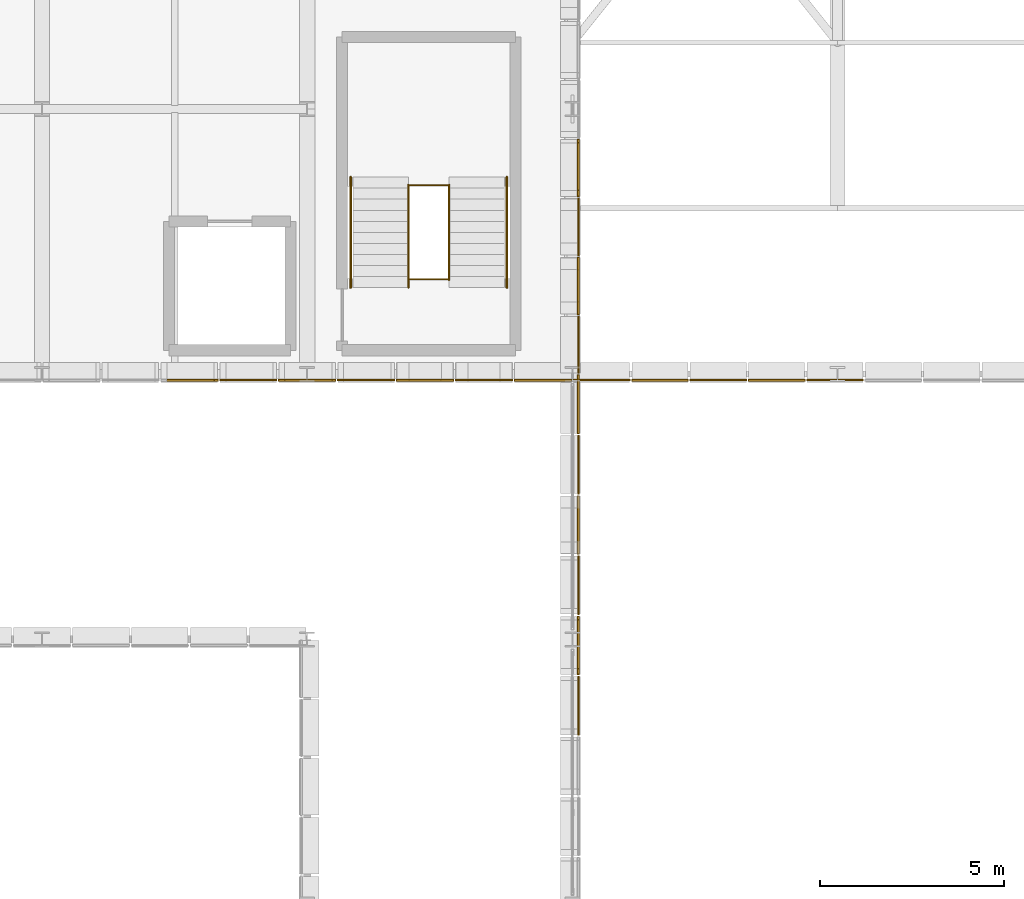
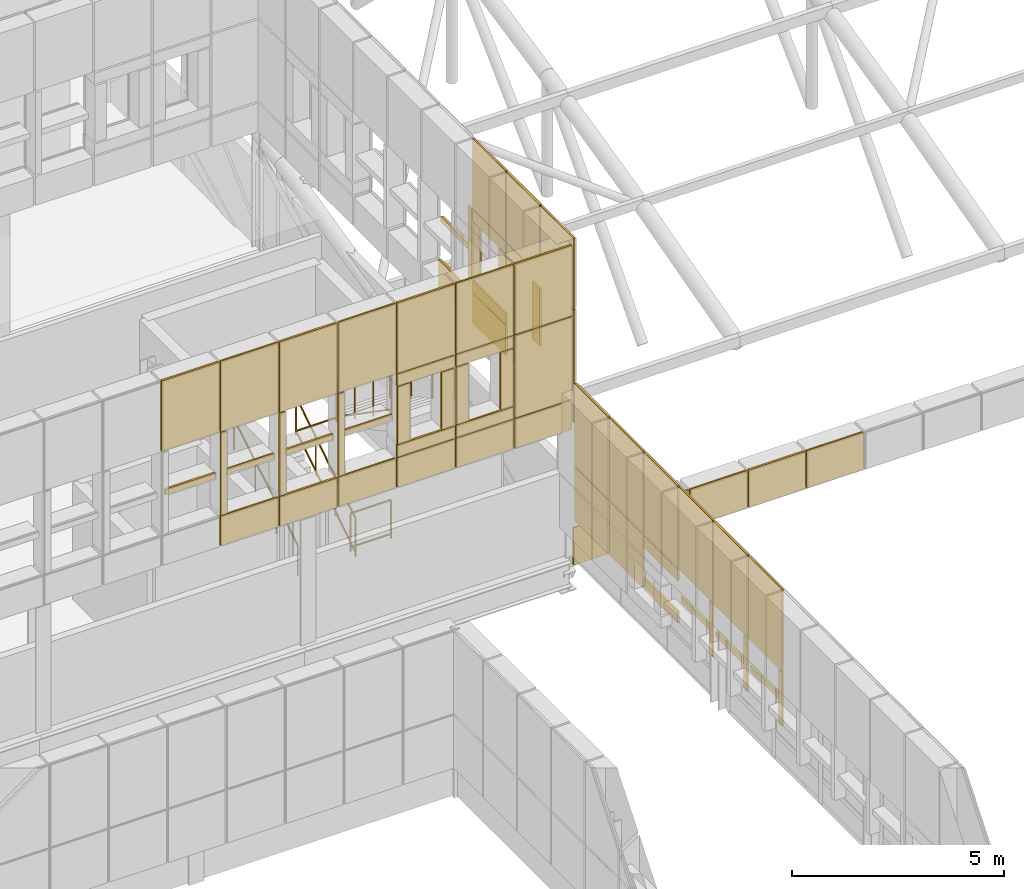
# One storey, part 81 of 96: 68 coverings, 6 railings.
"""IFC4 building model written with IfcOpenShell, lengths in metres."""

from ifc_helpers import new_model, si_unit, direction, frame, origin, origin_2d, place, context, subcontext, project, spatial, rectangle, circle, extrude, material, layer, layer_set, type_object, element, save


model = new_model("IFC4")

# Units and contexts
model_context = context("Model", 3, precision=1e-05, world=origin(), true_north=direction((0.0, 1.0)))
body_context = subcontext(model_context, "Body", "Model", "MODEL_VIEW")
ifc_project = project(units=[si_unit("LENGTHUNIT", "METRE"), si_unit("AREAUNIT", "SQUARE_METRE"), si_unit("VOLUMEUNIT", "CUBIC_METRE"), si_unit("PLANEANGLEUNIT", "RADIAN"), si_unit("MASSUNIT", "GRAM", prefix="KILO")], contexts=[model_context])

# Site, building, storey
site_placement = place(None, origin())
site = spatial("IfcSite", under=ifc_project, at=site_placement, CompositionType="ELEMENT")
building_placement = place(site_placement, origin())
building = spatial("IfcBuilding", under=site, at=building_placement, Name="Yarey Park Central Fire Station", CompositionType="ELEMENT")
storey_placement = place(building_placement, frame((0.0, 0.0, 14.39990234375)))
storey = spatial("IfcBuildingStorey", under=building, at=storey_placement, Name="L04", CompositionType="ELEMENT", Elevation=14.39990234375)

# Coverings
ifc_material_1 = material(Name="Perforated Powder-Coated Aluminium Cladding", Category="aluminium")
ifc_layer_1 = layer(ifc_material_1, 0.0419921875)
ifc_layer_set_1 = layer_set([ifc_layer_1], Name="Perforated Powder-Coated Aluminium Cladding")
covering_type_1 = type_object("IfcCoveringType", Name="ENV_COV_PERF_1", PredefinedType="CLADDING", material=ifc_layer_set_1)
covering_1_placement = place(storey_placement, frame((57.760009765625, 47.891845703125, 0.864990234375), z_axis=(0.0, 0.0, 1.0), x_axis=(0.0, 1.0, 0.0)))
element("IfcCovering", 1, at=covering_1_placement, inside=storey, type_object=covering_type_1, Name="PERF_L04_0428", PredefinedType="CLADDING", context=body_context, shape_type="SweptSolid", body=[
    extrude(rectangle(XDim=0.159912109375, YDim=0.0419921875, at=origin_2d()), origin(), (0.0, 0.0, 1.0), 1.5400390625),
])
covering_2_placement = place(storey_placement, frame((57.760009765625, 48.60009765625, 1.55517578125), z_axis=(0.0, 0.0, 1.0), x_axis=(0.0, 1.0, 0.0)))
element("IfcCovering", 2, at=covering_2_placement, inside=storey, type_object=covering_type_1, Name="PERF_L04_0429", PredefinedType="CLADDING", context=body_context, shape_type="SweptSolid", body=[
    extrude(rectangle(XDim=1.396484375, YDim=0.0419921875, at=origin_2d()), origin(), (0.0, 0.0, 1.0), 0.159912109375),
])
covering_3_placement = place(storey_placement, frame((57.760009765625, 48.60009765625, 2.43505859375), z_axis=(0.0, 0.0, 1.0), x_axis=(0.0, 1.0, 0.0)))
element("IfcCovering", 3, at=covering_3_placement, inside=storey, type_object=covering_type_1, Name="PERF_L04_0430", PredefinedType="CLADDING", context=body_context, shape_type="SweptSolid", body=[
    extrude(rectangle(XDim=1.596435546875, YDim=0.0419921875, at=origin_2d()), origin(), (0.0, 0.0, 1.0), 2.3701171875),
])
covering_4_placement = place(storey_placement, frame((57.760009765625, 51.16455078125, 0.864990234375), z_axis=(0.0, 0.0, 1.0), x_axis=(0.0, 1.0, 0.0)))
element("IfcCovering", 4, at=covering_4_placement, inside=storey, type_object=covering_type_1, Name="PERF_L04_0442", PredefinedType="CLADDING", context=body_context, shape_type="SweptSolid", body=[
    extrude(rectangle(XDim=0.159912109375, YDim=0.0419921875, at=origin_2d()), origin(), (0.0, 0.0, 1.0), 1.5400390625),
])
covering_5_placement = place(storey_placement, frame((57.760009765625, 51.872802734375, 1.55517578125), z_axis=(0.0, 0.0, 1.0), x_axis=(0.0, 1.0, 0.0)))
element("IfcCovering", 5, at=covering_5_placement, inside=storey, type_object=covering_type_1, Name="PERF_L04_0443", PredefinedType="CLADDING", context=body_context, shape_type="SweptSolid", body=[
    extrude(rectangle(XDim=1.396484375, YDim=0.0419921875, at=origin_2d()), origin(), (0.0, 0.0, 1.0), 0.159912109375),
])
covering_6_placement = place(storey_placement, frame((57.760009765625, 51.872802734375, 2.43505859375), z_axis=(0.0, 0.0, 1.0), x_axis=(0.0, 1.0, 0.0)))
element("IfcCovering", 6, at=covering_6_placement, inside=storey, type_object=covering_type_1, Name="PERF_L04_0444", PredefinedType="CLADDING", context=body_context, shape_type="SweptSolid", body=[
    extrude(rectangle(XDim=1.596435546875, YDim=0.0419921875, at=origin_2d()), origin(), (0.0, 0.0, 1.0), 2.3701171875),
])
covering_7_placement = place(storey_placement, frame((57.760009765625, 55.1455078125, 0.864990234375), z_axis=(0.0, 0.0, 1.0), x_axis=(0.0, 1.0, 0.0)))
element("IfcCovering", 7, at=covering_7_placement, inside=storey, type_object=covering_type_1, Name="PERF_L04_0459", PredefinedType="CLADDING", context=body_context, shape_type="SweptSolid", body=[
    extrude(rectangle(XDim=1.596435546875, YDim=0.0419921875, at=origin_2d()), origin(), (0.0, 0.0, 1.0), 1.5400390625),
])
covering_8_placement = place(storey_placement, frame((57.760009765625, 55.1455078125, 2.43505859375), z_axis=(0.0, 0.0, 1.0), x_axis=(0.0, 1.0, 0.0)))
element("IfcCovering", 8, at=covering_8_placement, inside=storey, type_object=covering_type_1, Name="PERF_L04_0460", PredefinedType="CLADDING", context=body_context, shape_type="SweptSolid", body=[
    extrude(rectangle(XDim=1.596435546875, YDim=0.0419921875, at=origin_2d()), origin(), (0.0, 0.0, 1.0), 2.3701171875),
])
covering_9_placement = place(storey_placement, frame((48.800048828125, 57.43994140625, 3.635009765625), z_axis=(0.0, 0.0, 1.0), x_axis=(1.0, 0.0, 0.0)))
element("IfcCovering", 9, at=covering_9_placement, inside=storey, type_object=covering_type_1, Name="PERF_L04_1173", PredefinedType="CLADDING", context=body_context, shape_type="SweptSolid", body=[
    extrude(rectangle(XDim=1.56005859375, YDim=0.0419921875, at=origin_2d()), origin(), (0.0, 0.0, 1.0), 0.85009765625),
])
covering_10_placement = place(storey_placement, frame((48.110107421875, 57.43994140625, 4.51513671875), z_axis=(0.0, 0.0, 1.0), x_axis=(1.0, 0.0, 0.0)))
element("IfcCovering", 10, at=covering_10_placement, inside=storey, type_object=covering_type_1, Name="PERF_L04_1174", PredefinedType="CLADDING", context=body_context, shape_type="SweptSolid", body=[
    extrude(rectangle(XDim=0.159912109375, YDim=0.0419921875, at=origin_2d()), origin(), (0.0, 0.0, 1.0), 2.3701171875),
])
covering_11_placement = place(storey_placement, frame((48.800048828125, 57.43994140625, 5.6201171875), z_axis=(0.0, 0.0, 1.0), x_axis=(1.0, 0.0, 0.0)))
element("IfcCovering", 11, at=covering_11_placement, inside=storey, type_object=covering_type_1, Name="PERF_L04_1175", PredefinedType="CLADDING", context=body_context, shape_type="SweptSolid", body=[
    extrude(rectangle(XDim=1.360107421875, YDim=0.0419921875, at=origin_2d()), origin(), (0.0, 0.0, 1.0), 0.159912109375),
])
covering_12_placement = place(storey_placement, frame((48.800048828125, 57.43994140625, 6.9150390625), z_axis=(0.0, 0.0, 1.0), x_axis=(1.0, 0.0, 0.0)))
element("IfcCovering", 12, at=covering_12_placement, inside=storey, type_object=covering_type_1, Name="PERF_L04_1176", PredefinedType="CLADDING", context=body_context, shape_type="SweptSolid", body=[
    extrude(rectangle(XDim=1.56005859375, YDim=0.0419921875, at=origin_2d()), origin(), (0.0, 0.0, 1.0), 2.02001953125),
])
covering_13_placement = place(storey_placement, frame((52.0, 57.43994140625, 3.635009765625), z_axis=(0.0, 0.0, 1.0), x_axis=(1.0, 0.0, 0.0)))
element("IfcCovering", 13, at=covering_13_placement, inside=storey, type_object=covering_type_1, Name="PERF_L04_1181", PredefinedType="CLADDING", context=body_context, shape_type="SweptSolid", body=[
    extrude(rectangle(XDim=1.56005859375, YDim=0.0419921875, at=origin_2d()), origin(), (0.0, 0.0, 1.0), 0.85009765625),
])
covering_14_placement = place(storey_placement, frame((51.31005859375, 57.43994140625, 4.51513671875), z_axis=(0.0, 0.0, 1.0), x_axis=(1.0, 0.0, 0.0)))
element("IfcCovering", 14, at=covering_14_placement, inside=storey, type_object=covering_type_1, Name="PERF_L04_1182", PredefinedType="CLADDING", context=body_context, shape_type="SweptSolid", body=[
    extrude(rectangle(XDim=0.159912109375, YDim=0.0419921875, at=origin_2d()), origin(), (0.0, 0.0, 1.0), 2.3701171875),
])
covering_15_placement = place(storey_placement, frame((52.0, 57.43994140625, 5.6201171875), z_axis=(0.0, 0.0, 1.0), x_axis=(1.0, 0.0, 0.0)))
element("IfcCovering", 15, at=covering_15_placement, inside=storey, type_object=covering_type_1, Name="PERF_L04_1183", PredefinedType="CLADDING", context=body_context, shape_type="SweptSolid", body=[
    extrude(rectangle(XDim=1.360107421875, YDim=0.0419921875, at=origin_2d()), origin(), (0.0, 0.0, 1.0), 0.159912109375),
])
covering_16_placement = place(storey_placement, frame((52.0, 57.43994140625, 6.9150390625), z_axis=(0.0, 0.0, 1.0), x_axis=(1.0, 0.0, 0.0)))
element("IfcCovering", 16, at=covering_16_placement, inside=storey, type_object=covering_type_1, Name="PERF_L04_1184", PredefinedType="CLADDING", context=body_context, shape_type="SweptSolid", body=[
    extrude(rectangle(XDim=1.56005859375, YDim=0.0419921875, at=origin_2d()), origin(), (0.0, 0.0, 1.0), 2.02001953125),
])
covering_17_placement = place(storey_placement, frame((55.199951171875, 57.43994140625, 3.635009765625), z_axis=(0.0, 0.0, 1.0), x_axis=(1.0, 0.0, 0.0)))
element("IfcCovering", 17, at=covering_17_placement, inside=storey, type_object=covering_type_1, Name="PERF_L04_1191", PredefinedType="CLADDING", context=body_context, shape_type="SweptSolid", body=[
    extrude(rectangle(XDim=1.56005859375, YDim=0.0419921875, at=origin_2d()), origin(), (0.0, 0.0, 1.0), 0.85009765625),
])
for number, where, z_axis, x_axis, name in (
    (18, (55.199951171875, 57.43994140625, 4.51025390625), (0.0, 0.0, 1.0), (1.0, 0.0, 0.0), "PERF_L04_1192"),
    (19, (55.199951171875, 57.43994140625, 6.55029296875), (0.0, 0.0, 1.0), (1.0, 0.0, 0.0), "PERF_L04_1193"),
):
    element("IfcCovering", number, at=place(storey_placement, frame(where, z_axis=z_axis, x_axis=x_axis)), inside=storey, type_object=covering_type_1, Name=name, PredefinedType="CLADDING", context=body_context, shape_type="SweptSolid", body=[
        extrude(rectangle(XDim=1.56005859375, YDim=0.0419921875, at=origin_2d()), origin(), (0.0, 0.0, 1.0), 0.340087890625),
    ])
for number, where, z_axis, x_axis, name in (
    (20, (54.60009765625, 57.43994140625, 4.875244140625), (0.0, 0.0, 1.0), (1.0, 0.0, 0.0), "PERF_L04_1194"),
    (21, (55.800048828125, 57.43994140625, 4.875244140625), (0.0, 0.0, 1.0), (1.0, 0.0, 0.0), "PERF_L04_1195"),
):
    element("IfcCovering", number, at=place(storey_placement, frame(where, z_axis=z_axis, x_axis=x_axis)), inside=storey, type_object=covering_type_1, Name=name, PredefinedType="CLADDING", context=body_context, shape_type="SweptSolid", body=[
        extrude(rectangle(XDim=0.340087890625, YDim=0.0419921875, at=origin_2d()), origin(), (0.0, 0.0, 1.0), 1.64990234375),
    ])
covering_18_placement = place(storey_placement, frame((55.199951171875, 57.43994140625, 6.9150390625), z_axis=(0.0, 0.0, 1.0), x_axis=(1.0, 0.0, 0.0)))
element("IfcCovering", 22, at=covering_18_placement, inside=storey, type_object=covering_type_1, Name="PERF_L04_1196", PredefinedType="CLADDING", context=body_context, shape_type="SweptSolid", body=[
    extrude(rectangle(XDim=1.56005859375, YDim=0.0419921875, at=origin_2d()), origin(), (0.0, 0.0, 1.0), 2.02001953125),
])
covering_19_placement = place(storey_placement, frame((57.760009765625, 58.39990234375, 3.635009765625), z_axis=(0.0, 0.0, 1.0), x_axis=(0.0, 1.0, 0.0)))
element("IfcCovering", 23, at=covering_19_placement, inside=storey, type_object=covering_type_1, Name="PERF_L04_1320", PredefinedType="CLADDING", context=body_context, shape_type="SweptSolid", body=[
    extrude(rectangle(XDim=1.56005859375, YDim=0.0419921875, at=origin_2d()), origin(), (0.0, 0.0, 1.0), 0.85009765625),
])
covering_20_placement = place(storey_placement, frame((57.760009765625, 58.39990234375, 4.51513671875), z_axis=(0.0, 0.0, 1.0), x_axis=(0.0, 1.0, 0.0)))
element("IfcCovering", 24, at=covering_20_placement, inside=storey, type_object=covering_type_1, Name="PERF_L04_1321", PredefinedType="CLADDING", context=body_context, shape_type="SweptSolid", body=[
    extrude(rectangle(XDim=1.56005859375, YDim=0.0419921875, at=origin_2d()), origin(), (0.0, 0.0, 1.0), 2.3701171875),
])
covering_21_placement = place(storey_placement, frame((57.760009765625, 58.39990234375, 6.9150390625), z_axis=(0.0, 0.0, 1.0), x_axis=(0.0, 1.0, 0.0)))
element("IfcCovering", 25, at=covering_21_placement, inside=storey, type_object=covering_type_1, Name="PERF_L04_1322", PredefinedType="CLADDING", context=body_context, shape_type="SweptSolid", body=[
    extrude(rectangle(XDim=1.56005859375, YDim=0.0419921875, at=origin_2d()), origin(), (0.0, 0.0, 1.0), 2.02001953125),
])
covering_22_placement = place(storey_placement, frame((57.760009765625, 61.60009765625, 3.635009765625), z_axis=(0.0, 0.0, 1.0), x_axis=(0.0, 1.0, 0.0)))
element("IfcCovering", 26, at=covering_22_placement, inside=storey, type_object=covering_type_1, Name="PERF_L04_1329", PredefinedType="CLADDING", context=body_context, shape_type="SweptSolid", body=[
    extrude(rectangle(XDim=1.56005859375, YDim=0.0419921875, at=origin_2d()), origin(), (0.0, 0.0, 1.0), 0.85009765625),
])
for number, where, z_axis, x_axis, name in (
    (27, (57.760009765625, 61.60009765625, 4.51025390625), (0.0, 0.0, 1.0), (0.0, 1.0, 0.0), "PERF_L04_1330"),
    (28, (57.760009765625, 61.60009765625, 6.55029296875), (0.0, 0.0, 1.0), (0.0, 1.0, 0.0), "PERF_L04_1331"),
):
    element("IfcCovering", number, at=place(storey_placement, frame(where, z_axis=z_axis, x_axis=x_axis)), inside=storey, type_object=covering_type_1, Name=name, PredefinedType="CLADDING", context=body_context, shape_type="SweptSolid", body=[
        extrude(rectangle(XDim=1.56005859375, YDim=0.0419921875, at=origin_2d()), origin(), (0.0, 0.0, 1.0), 0.340087890625),
    ])
for number, where, z_axis, x_axis, name in (
    (29, (57.760009765625, 61.0, 4.875244140625), (0.0, 0.0, 1.0), (0.0, 1.0, 0.0), "PERF_L04_1332"),
    (30, (57.760009765625, 62.199951171875, 4.875244140625), (0.0, 0.0, 1.0), (0.0, 1.0, 0.0), "PERF_L04_1333"),
):
    element("IfcCovering", number, at=place(storey_placement, frame(where, z_axis=z_axis, x_axis=x_axis)), inside=storey, type_object=covering_type_1, Name=name, PredefinedType="CLADDING", context=body_context, shape_type="SweptSolid", body=[
        extrude(rectangle(XDim=0.340087890625, YDim=0.0419921875, at=origin_2d()), origin(), (0.0, 0.0, 1.0), 1.64990234375),
    ])
covering_23_placement = place(storey_placement, frame((57.760009765625, 61.60009765625, 6.9150390625), z_axis=(0.0, 0.0, 1.0), x_axis=(0.0, 1.0, 0.0)))
element("IfcCovering", 31, at=covering_23_placement, inside=storey, type_object=covering_type_1, Name="PERF_L04_1334", PredefinedType="CLADDING", context=body_context, shape_type="SweptSolid", body=[
    extrude(rectangle(XDim=1.56005859375, YDim=0.0419921875, at=origin_2d()), origin(), (0.0, 0.0, 1.0), 2.02001953125),
])
for number, where, z_axis, x_axis, name in (
    (32, (58.39208984375, 57.43994140625, -0.28515625), (0.0, 0.0, 1.0), (1.0, 0.0, 0.0), "PERF_L04_1364"),
    (33, (61.56005859375, 57.43994140625, -0.28515625), (0.0, 0.0, 1.0), (1.0, 0.0, 0.0), "PERF_L04_1373"),
    (34, (64.72802734375, 57.43994140625, -0.28515625), (0.0, 0.0, 1.0), (1.0, 0.0, 0.0), "PERF_L04_1381"),
):
    element("IfcCovering", number, at=place(storey_placement, frame(where, z_axis=z_axis, x_axis=x_axis)), inside=storey, type_object=covering_type_1, Name=name, PredefinedType="CLADDING", context=body_context, shape_type="SweptSolid", body=[
        extrude(rectangle(XDim=1.5439453125, YDim=0.0419921875, at=origin_2d()), origin(), (0.0, 0.0, 1.0), 1.070068359375),
    ])
ifc_layer_2 = layer(ifc_material_1, 0.053955078125)
ifc_layer_set_2 = layer_set([ifc_layer_2], Name="Perforated Powder-Coated Aluminium Cladding")
covering_type_2 = type_object("IfcCoveringType", Name="ENV_COV_PERF_2", PredefinedType="CLADDING", material=ifc_layer_set_2)
covering_24_placement = place(storey_placement, frame((57.760009765625, 49.5283203125, 0.864990234375), z_axis=(0.0, 0.0, 1.0), x_axis=(0.0, 1.0, 0.0)))
element("IfcCovering", 35, at=covering_24_placement, inside=storey, type_object=covering_type_2, Name="PERF_L04_0435", PredefinedType="CLADDING", context=body_context, shape_type="SweptSolid", body=[
    extrude(rectangle(XDim=0.159912109375, YDim=0.053955078125, at=origin_2d()), origin(), (0.0, 0.0, 1.0), 1.5400390625),
])
covering_25_placement = place(storey_placement, frame((57.760009765625, 50.236328125, 1.55517578125), z_axis=(0.0, 0.0, 1.0), x_axis=(0.0, 1.0, 0.0)))
element("IfcCovering", 36, at=covering_25_placement, inside=storey, type_object=covering_type_2, Name="PERF_L04_0436", PredefinedType="CLADDING", context=body_context, shape_type="SweptSolid", body=[
    extrude(rectangle(XDim=1.396484375, YDim=0.053955078125, at=origin_2d()), origin(), (0.0, 0.0, 1.0), 0.159912109375),
])
covering_26_placement = place(storey_placement, frame((57.760009765625, 50.236328125, 2.43505859375), z_axis=(0.0, 0.0, 1.0), x_axis=(0.0, 1.0, 0.0)))
element("IfcCovering", 37, at=covering_26_placement, inside=storey, type_object=covering_type_2, Name="PERF_L04_0437", PredefinedType="CLADDING", context=body_context, shape_type="SweptSolid", body=[
    extrude(rectangle(XDim=1.596435546875, YDim=0.053955078125, at=origin_2d()), origin(), (0.0, 0.0, 1.0), 2.3701171875),
])
for number, where, z_axis, x_axis, name in (
    (38, (57.760009765625, 53.509033203125, 0.85986328125), (0.0, 0.0, 1.0), (0.0, 1.0, 0.0), "PERF_L04_0451"),
    (39, (57.760009765625, 53.509033203125, 2.06982421875), (0.0, 0.0, 1.0), (0.0, 1.0, 0.0), "PERF_L04_0452"),
):
    element("IfcCovering", number, at=place(storey_placement, frame(where, z_axis=z_axis, x_axis=x_axis)), inside=storey, type_object=covering_type_2, Name=name, PredefinedType="CLADDING", context=body_context, shape_type="SweptSolid", body=[
        extrude(rectangle(XDim=1.596435546875, YDim=0.053955078125, at=origin_2d()), origin(), (0.0, 0.0, 1.0), 0.340087890625),
    ])
covering_27_placement = place(storey_placement, frame((57.760009765625, 53.509033203125, 2.43505859375), z_axis=(0.0, 0.0, 1.0), x_axis=(0.0, 1.0, 0.0)))
element("IfcCovering", 40, at=covering_27_placement, inside=storey, type_object=covering_type_2, Name="PERF_L04_0455", PredefinedType="CLADDING", context=body_context, shape_type="SweptSolid", body=[
    extrude(rectangle(XDim=1.596435546875, YDim=0.053955078125, at=origin_2d()), origin(), (0.0, 0.0, 1.0), 2.3701171875),
])
covering_28_placement = place(storey_placement, frame((57.760009765625, 56.78173828125, 0.864990234375), z_axis=(0.0, 0.0, 1.0), x_axis=(0.0, 1.0, 0.0)))
element("IfcCovering", 41, at=covering_28_placement, inside=storey, type_object=covering_type_2, Name="PERF_L04_0464", PredefinedType="CLADDING", context=body_context, shape_type="SweptSolid", body=[
    extrude(rectangle(XDim=1.596435546875, YDim=0.053955078125, at=origin_2d()), origin(), (0.0, 0.0, 1.0), 1.5400390625),
])
covering_29_placement = place(storey_placement, frame((57.760009765625, 56.78173828125, 2.43505859375), z_axis=(0.0, 0.0, 1.0), x_axis=(0.0, 1.0, 0.0)))
element("IfcCovering", 42, at=covering_29_placement, inside=storey, type_object=covering_type_2, Name="PERF_L04_0465", PredefinedType="CLADDING", context=body_context, shape_type="SweptSolid", body=[
    extrude(rectangle(XDim=1.596435546875, YDim=0.053955078125, at=origin_2d()), origin(), (0.0, 0.0, 1.0), 2.3701171875),
])
covering_30_placement = place(storey_placement, frame((47.199951171875, 57.43994140625, 5.6201171875), z_axis=(0.0, 0.0, 1.0), x_axis=(1.0, 0.0, 0.0)))
element("IfcCovering", 43, at=covering_30_placement, inside=storey, type_object=covering_type_2, Name="PERF_L04_1171", PredefinedType="CLADDING", context=body_context, shape_type="SweptSolid", body=[
    extrude(rectangle(XDim=1.360107421875, YDim=0.053955078125, at=origin_2d()), origin(), (0.0, 0.0, 1.0), 0.159912109375),
])
covering_31_placement = place(storey_placement, frame((47.199951171875, 57.43994140625, 6.9150390625), z_axis=(0.0, 0.0, 1.0), x_axis=(1.0, 0.0, 0.0)))
element("IfcCovering", 44, at=covering_31_placement, inside=storey, type_object=covering_type_2, Name="PERF_L04_1172", PredefinedType="CLADDING", context=body_context, shape_type="SweptSolid", body=[
    extrude(rectangle(XDim=1.56005859375, YDim=0.053955078125, at=origin_2d()), origin(), (0.0, 0.0, 1.0), 2.02001953125),
])
covering_32_placement = place(storey_placement, frame((50.39990234375, 57.43994140625, 3.635009765625), z_axis=(0.0, 0.0, 1.0), x_axis=(1.0, 0.0, 0.0)))
element("IfcCovering", 45, at=covering_32_placement, inside=storey, type_object=covering_type_2, Name="PERF_L04_1177", PredefinedType="CLADDING", context=body_context, shape_type="SweptSolid", body=[
    extrude(rectangle(XDim=1.56005859375, YDim=0.053955078125, at=origin_2d()), origin(), (0.0, 0.0, 1.0), 0.85009765625),
])
covering_33_placement = place(storey_placement, frame((49.7099609375, 57.43994140625, 4.51513671875), z_axis=(0.0, 0.0, 1.0), x_axis=(1.0, 0.0, 0.0)))
element("IfcCovering", 46, at=covering_33_placement, inside=storey, type_object=covering_type_2, Name="PERF_L04_1178", PredefinedType="CLADDING", context=body_context, shape_type="SweptSolid", body=[
    extrude(rectangle(XDim=0.159912109375, YDim=0.053955078125, at=origin_2d()), origin(), (0.0, 0.0, 1.0), 2.3701171875),
])
covering_34_placement = place(storey_placement, frame((50.39990234375, 57.43994140625, 5.6201171875), z_axis=(0.0, 0.0, 1.0), x_axis=(1.0, 0.0, 0.0)))
element("IfcCovering", 47, at=covering_34_placement, inside=storey, type_object=covering_type_2, Name="PERF_L04_1179", PredefinedType="CLADDING", context=body_context, shape_type="SweptSolid", body=[
    extrude(rectangle(XDim=1.360107421875, YDim=0.053955078125, at=origin_2d()), origin(), (0.0, 0.0, 1.0), 0.159912109375),
])
covering_35_placement = place(storey_placement, frame((50.39990234375, 57.43994140625, 6.9150390625), z_axis=(0.0, 0.0, 1.0), x_axis=(1.0, 0.0, 0.0)))
element("IfcCovering", 48, at=covering_35_placement, inside=storey, type_object=covering_type_2, Name="PERF_L04_1180", PredefinedType="CLADDING", context=body_context, shape_type="SweptSolid", body=[
    extrude(rectangle(XDim=1.56005859375, YDim=0.053955078125, at=origin_2d()), origin(), (0.0, 0.0, 1.0), 2.02001953125),
])
covering_36_placement = place(storey_placement, frame((53.60009765625, 57.43994140625, 3.635009765625), z_axis=(0.0, 0.0, 1.0), x_axis=(1.0, 0.0, 0.0)))
element("IfcCovering", 49, at=covering_36_placement, inside=storey, type_object=covering_type_2, Name="PERF_L04_1185", PredefinedType="CLADDING", context=body_context, shape_type="SweptSolid", body=[
    extrude(rectangle(XDim=1.56005859375, YDim=0.053955078125, at=origin_2d()), origin(), (0.0, 0.0, 1.0), 0.85009765625),
])
for number, where, z_axis, x_axis, name in (
    (50, (53.60009765625, 57.43994140625, 4.51025390625), (0.0, 0.0, 1.0), (1.0, 0.0, 0.0), "PERF_L04_1186"),
    (51, (53.60009765625, 57.43994140625, 6.55029296875), (0.0, 0.0, 1.0), (1.0, 0.0, 0.0), "PERF_L04_1187"),
):
    element("IfcCovering", number, at=place(storey_placement, frame(where, z_axis=z_axis, x_axis=x_axis)), inside=storey, type_object=covering_type_2, Name=name, PredefinedType="CLADDING", context=body_context, shape_type="SweptSolid", body=[
        extrude(rectangle(XDim=1.56005859375, YDim=0.053955078125, at=origin_2d()), origin(), (0.0, 0.0, 1.0), 0.340087890625),
    ])
for number, where, z_axis, x_axis, name in (
    (52, (53.0, 57.43994140625, 4.875244140625), (0.0, 0.0, 1.0), (1.0, 0.0, 0.0), "PERF_L04_1188"),
    (53, (54.199951171875, 57.43994140625, 4.875244140625), (0.0, 0.0, 1.0), (1.0, 0.0, 0.0), "PERF_L04_1189"),
):
    element("IfcCovering", number, at=place(storey_placement, frame(where, z_axis=z_axis, x_axis=x_axis)), inside=storey, type_object=covering_type_2, Name=name, PredefinedType="CLADDING", context=body_context, shape_type="SweptSolid", body=[
        extrude(rectangle(XDim=0.340087890625, YDim=0.053955078125, at=origin_2d()), origin(), (0.0, 0.0, 1.0), 1.64990234375),
    ])
covering_37_placement = place(storey_placement, frame((53.60009765625, 57.43994140625, 6.9150390625), z_axis=(0.0, 0.0, 1.0), x_axis=(1.0, 0.0, 0.0)))
element("IfcCovering", 54, at=covering_37_placement, inside=storey, type_object=covering_type_2, Name="PERF_L04_1190", PredefinedType="CLADDING", context=body_context, shape_type="SweptSolid", body=[
    extrude(rectangle(XDim=1.56005859375, YDim=0.053955078125, at=origin_2d()), origin(), (0.0, 0.0, 1.0), 2.02001953125),
])
covering_38_placement = place(storey_placement, frame((56.800048828125, 57.43994140625, 3.635009765625), z_axis=(0.0, 0.0, 1.0), x_axis=(1.0, 0.0, 0.0)))
element("IfcCovering", 55, at=covering_38_placement, inside=storey, type_object=covering_type_2, Name="PERF_L04_1197", PredefinedType="CLADDING", context=body_context, shape_type="SweptSolid", body=[
    extrude(rectangle(XDim=1.56005859375, YDim=0.053955078125, at=origin_2d()), origin(), (0.0, 0.0, 1.0), 0.85009765625),
])
covering_39_placement = place(storey_placement, frame((56.800048828125, 57.43994140625, 4.51513671875), z_axis=(0.0, 0.0, 1.0), x_axis=(1.0, 0.0, 0.0)))
element("IfcCovering", 56, at=covering_39_placement, inside=storey, type_object=covering_type_2, Name="PERF_L04_1198", PredefinedType="CLADDING", context=body_context, shape_type="SweptSolid", body=[
    extrude(rectangle(XDim=1.56005859375, YDim=0.053955078125, at=origin_2d()), origin(), (0.0, 0.0, 1.0), 2.3701171875),
])
covering_40_placement = place(storey_placement, frame((56.800048828125, 57.43994140625, 6.9150390625), z_axis=(0.0, 0.0, 1.0), x_axis=(1.0, 0.0, 0.0)))
element("IfcCovering", 57, at=covering_40_placement, inside=storey, type_object=covering_type_2, Name="PERF_L04_1199", PredefinedType="CLADDING", context=body_context, shape_type="SweptSolid", body=[
    extrude(rectangle(XDim=1.56005859375, YDim=0.053955078125, at=origin_2d()), origin(), (0.0, 0.0, 1.0), 2.02001953125),
])
covering_41_placement = place(storey_placement, frame((57.760009765625, 60.0, 3.635009765625), z_axis=(0.0, 0.0, 1.0), x_axis=(0.0, 1.0, 0.0)))
element("IfcCovering", 58, at=covering_41_placement, inside=storey, type_object=covering_type_2, Name="PERF_L04_1323", PredefinedType="CLADDING", context=body_context, shape_type="SweptSolid", body=[
    extrude(rectangle(XDim=1.56005859375, YDim=0.053955078125, at=origin_2d()), origin(), (0.0, 0.0, 1.0), 0.85009765625),
])
for number, where, z_axis, x_axis, name in (
    (59, (57.760009765625, 60.0, 4.51025390625), (0.0, 0.0, 1.0), (0.0, 1.0, 0.0), "PERF_L04_1324"),
    (60, (57.760009765625, 60.0, 6.55029296875), (0.0, 0.0, 1.0), (0.0, 1.0, 0.0), "PERF_L04_1325"),
):
    element("IfcCovering", number, at=place(storey_placement, frame(where, z_axis=z_axis, x_axis=x_axis)), inside=storey, type_object=covering_type_2, Name=name, PredefinedType="CLADDING", context=body_context, shape_type="SweptSolid", body=[
        extrude(rectangle(XDim=1.56005859375, YDim=0.053955078125, at=origin_2d()), origin(), (0.0, 0.0, 1.0), 0.340087890625),
    ])
for number, where, z_axis, x_axis, name in (
    (61, (57.760009765625, 59.39990234375, 4.875244140625), (0.0, 0.0, 1.0), (0.0, 1.0, 0.0), "PERF_L04_1326"),
    (62, (57.760009765625, 60.60009765625, 4.875244140625), (0.0, 0.0, 1.0), (0.0, 1.0, 0.0), "PERF_L04_1327"),
):
    element("IfcCovering", number, at=place(storey_placement, frame(where, z_axis=z_axis, x_axis=x_axis)), inside=storey, type_object=covering_type_2, Name=name, PredefinedType="CLADDING", context=body_context, shape_type="SweptSolid", body=[
        extrude(rectangle(XDim=0.340087890625, YDim=0.053955078125, at=origin_2d()), origin(), (0.0, 0.0, 1.0), 1.64990234375),
    ])
covering_42_placement = place(storey_placement, frame((57.760009765625, 60.0, 6.9150390625), z_axis=(0.0, 0.0, 1.0), x_axis=(0.0, 1.0, 0.0)))
element("IfcCovering", 63, at=covering_42_placement, inside=storey, type_object=covering_type_2, Name="PERF_L04_1328", PredefinedType="CLADDING", context=body_context, shape_type="SweptSolid", body=[
    extrude(rectangle(XDim=1.56005859375, YDim=0.053955078125, at=origin_2d()), origin(), (0.0, 0.0, 1.0), 2.02001953125),
])
covering_43_placement = place(storey_placement, frame((57.760009765625, 63.199951171875, 3.635009765625), z_axis=(0.0, 0.0, 1.0), x_axis=(0.0, 1.0, 0.0)))
element("IfcCovering", 64, at=covering_43_placement, inside=storey, type_object=covering_type_2, Name="PERF_L04_1335", PredefinedType="CLADDING", context=body_context, shape_type="SweptSolid", body=[
    extrude(rectangle(XDim=1.56005859375, YDim=0.053955078125, at=origin_2d()), origin(), (0.0, 0.0, 1.0), 0.85009765625),
])
covering_44_placement = place(storey_placement, frame((57.760009765625, 62.510009765625, 4.51513671875), z_axis=(0.0, 0.0, 1.0), x_axis=(0.0, 1.0, 0.0)))
element("IfcCovering", 65, at=covering_44_placement, inside=storey, type_object=covering_type_2, Name="PERF_L04_1336", PredefinedType="CLADDING", context=body_context, shape_type="SweptSolid", body=[
    extrude(rectangle(XDim=0.159912109375, YDim=0.053955078125, at=origin_2d()), origin(), (0.0, 0.0, 1.0), 2.3701171875),
])
covering_45_placement = place(storey_placement, frame((57.760009765625, 63.199951171875, 5.6201171875), z_axis=(0.0, 0.0, 1.0), x_axis=(0.0, 1.0, 0.0)))
element("IfcCovering", 66, at=covering_45_placement, inside=storey, type_object=covering_type_2, Name="PERF_L04_1337", PredefinedType="CLADDING", context=body_context, shape_type="SweptSolid", body=[
    extrude(rectangle(XDim=1.360107421875, YDim=0.053955078125, at=origin_2d()), origin(), (0.0, 0.0, 1.0), 0.159912109375),
])
for number, where, z_axis, x_axis, name in (
    (67, (59.97607421875, 57.43994140625, -0.28515625), (0.0, 0.0, 1.0), (1.0, 0.0, 0.0), "PERF_L04_1367"),
    (68, (63.14404296875, 57.43994140625, -0.28515625), (0.0, 0.0, 1.0), (1.0, 0.0, 0.0), "PERF_L04_1377"),
):
    element("IfcCovering", number, at=place(storey_placement, frame(where, z_axis=z_axis, x_axis=x_axis)), inside=storey, type_object=covering_type_2, Name=name, PredefinedType="CLADDING", context=body_context, shape_type="SweptSolid", body=[
        extrude(rectangle(XDim=1.5439453125, YDim=0.053955078125, at=origin_2d()), origin(), (0.0, 0.0, 1.0), 1.070068359375),
    ])

# Railings
ifc_material_2 = material(Name="Galvanized Steel Balustrade", Category="steel")
railing_type_1 = type_object("IfcRailingType", Name="INT_RAIL_GUARD112", PredefinedType="BALUSTRADE", material=ifc_material_2)
railing_1_placement = place(storey_placement, frame((53.14990234375, 59.949951171875, 0.0)))
element("IfcRailing", 69, at=railing_1_placement, inside=storey, type_object=railing_type_1, Name="GRD_C4_L04_F1", PredefinedType="BALUSTRADE", context=body_context, shape_type="SweptSolid", body=[
    extrude(circle(Radius=0.02392578125, at=origin_2d()), frame((0.0, 0.0, 1.09619140625), z_axis=(0.0, 0.841176092368, 0.540761298198), x_axis=(-1.0, 0.0, 0.0)), (0.0, 0.0, 1.0), 3.32861328125),
    extrude(circle(Radius=0.02392578125, at=origin_2d()), frame((0.0, 0.0, 0.1201171875), z_axis=(0.0, 0.841176092368, 0.540761298198), x_axis=(-1.0, 0.0, 0.0)), (0.0, 0.0, 1.0), 3.32861328125),
    extrude(circle(Radius=0.02099609375, at=origin_2d()), origin(), (0.0, 0.0, 1.0), 1.072021484375),
    extrude(circle(Radius=0.02099609375, at=origin_2d()), frame((0.0, 0.933349609375, 0.60009765625)), (0.0, 0.0, 1.0), 1.072021484375),
    extrude(circle(Radius=0.02099609375, at=origin_2d()), frame((0.0, 1.86669921875, 1.199951171875)), (0.0, 0.0, 1.0), 1.072021484375),
    extrude(circle(Radius=0.02099609375, at=origin_2d()), frame((0.0, 2.800048828125, 1.800048828125)), (0.0, 0.0, 1.0), 1.072021484375),
])
railing_2_placement = place(storey_placement, frame((54.25, 62.75, 1.800048828125)))
element("IfcRailing", 70, at=railing_2_placement, inside=storey, type_object=railing_type_1, Name="GRD_C4_L04_F2", PredefinedType="BALUSTRADE", context=body_context, shape_type="SweptSolid", body=[
    extrude(circle(Radius=0.02392578125, at=origin_2d()), frame((0.0, 0.0, 1.09619140625), z_axis=(0.0, -0.822194970885, 0.56920596435), x_axis=(1.0, 0.0, 0.0)), (0.0, 0.0, 1.0), 3.162353515625),
    extrude(circle(Radius=0.02392578125, at=origin_2d()), frame((0.0, 0.0, 0.1201171875), z_axis=(0.0, -0.822194970885, 0.56920596435), x_axis=(1.0, 0.0, 0.0)), (0.0, 0.0, 1.0), 3.162353515625),
    extrude(circle(Radius=0.02099609375, at=origin_2d()), origin(), (0.0, 0.0, 1.0), 1.072021484375),
    extrude(circle(Radius=0.02099609375, at=origin_2d()), frame((0.0, -0.86669921875, 0.60009765625)), (0.0, 0.0, 1.0), 1.072021484375),
    extrude(circle(Radius=0.02099609375, at=origin_2d()), frame((0.0, -1.7333984375, 1.199951171875)), (0.0, 0.0, 1.0), 1.072021484375),
    extrude(circle(Radius=0.02099609375, at=origin_2d()), frame((0.0, -2.60009765625, 1.800048828125)), (0.0, 0.0, 1.0), 1.072021484375),
])
for number, where, name in (
    (71, (53.14990234375, 62.72998046875, 1.800048828125), "GRD_C4_L04_SLOT_MID"),
    (72, (53.14990234375, 60.179931640625, 0.0), "GRD_C4_L04_SLOT_BOT"),
):
    element("IfcRailing", number, at=place(storey_placement, frame(where)), inside=storey, type_object=railing_type_1, Name=name, PredefinedType="BALUSTRADE", context=body_context, shape_type="SweptSolid", body=[
        extrude(circle(Radius=0.02392578125, at=origin_2d()), frame((0.0, 0.0, 1.09619140625), z_axis=(1.0, 0.0, 0.0), x_axis=(0.0, 1.0, 0.0)), (0.0, 0.0, 1.0), 1.10009765625),
        extrude(circle(Radius=0.02392578125, at=origin_2d()), frame((0.0, 0.0, 0.1201171875), z_axis=(1.0, 0.0, 0.0), x_axis=(0.0, 1.0, 0.0)), (0.0, 0.0, 1.0), 1.10009765625),
        extrude(circle(Radius=0.02099609375, at=origin_2d()), origin(), (0.0, 0.0, 1.0), 1.072021484375),
        extrude(circle(Radius=0.02099609375, at=origin_2d()), frame((1.10009765625, 0.0, 0.0)), (0.0, 0.0, 1.0), 1.072021484375),
    ])
ifc_material_3 = material(Name="Stainless Steel AISI 316L", Category="steel")
railing_type_2 = type_object("IfcRailingType", Name="INT_RAIL_HAND090", PredefinedType="HANDRAIL", material=ifc_material_3)
railing_3_placement = place(storey_placement, frame((51.580078125, 59.949951171875, 0.0)))
element("IfcRailing", 73, at=railing_3_placement, inside=storey, type_object=railing_type_2, Name="HR_C4_L04_F1", PredefinedType="HANDRAIL", context=body_context, shape_type="SweptSolid", body=[
    extrude(circle(Radius=0.02392578125, at=origin_2d()), frame((0.0, 0.0, 0.8759765625), z_axis=(0.0, 0.857486768376, 0.514506017516), x_axis=(-1.0, 0.0, 0.0)), (0.0, 0.0, 1.0), 3.49853515625),
    extrude(circle(Radius=0.02099609375, at=origin_2d()), origin(), (0.0, 0.0, 1.0), 0.851806640625),
    extrude(circle(Radius=0.02099609375, at=origin_2d()), frame((0.0, 1.0, 0.60009765625)), (0.0, 0.0, 1.0), 0.851806640625),
    extrude(circle(Radius=0.02099609375, at=origin_2d()), frame((0.0, 2.0, 1.199951171875)), (0.0, 0.0, 1.0), 0.851806640625),
    extrude(circle(Radius=0.02099609375, at=origin_2d()), frame((0.0, 3.0, 1.800048828125)), (0.0, 0.0, 1.0), 0.851806640625),
])
railing_4_placement = place(storey_placement, frame((55.820068359375, 62.949951171875, 1.800048828125)))
element("IfcRailing", 74, at=railing_4_placement, inside=storey, type_object=railing_type_2, Name="HR_C4_L04_F2", PredefinedType="HANDRAIL", context=body_context, shape_type="SweptSolid", body=[
    extrude(circle(Radius=0.02392578125, at=origin_2d()), frame((0.0, 0.0, 0.8759765625), z_axis=(0.0, -0.857486768376, 0.514506017516), x_axis=(1.0, 0.0, 0.0)), (0.0, 0.0, 1.0), 3.49853515625),
    extrude(circle(Radius=0.02099609375, at=origin_2d()), origin(), (0.0, 0.0, 1.0), 0.851806640625),
    extrude(circle(Radius=0.02099609375, at=origin_2d()), frame((0.0, -1.0, 0.60009765625)), (0.0, 0.0, 1.0), 0.851806640625),
    extrude(circle(Radius=0.02099609375, at=origin_2d()), frame((0.0, -2.0, 1.199951171875)), (0.0, 0.0, 1.0), 0.851806640625),
    extrude(circle(Radius=0.02099609375, at=origin_2d()), frame((0.0, -3.0, 1.800048828125)), (0.0, 0.0, 1.0), 0.851806640625),
])

save(model, "model.ifc")
